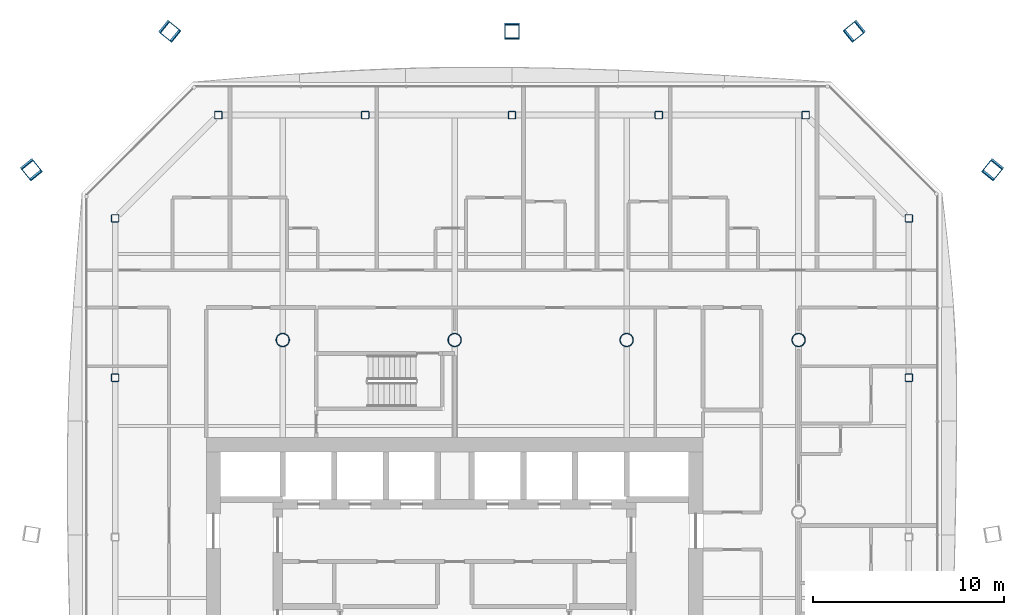
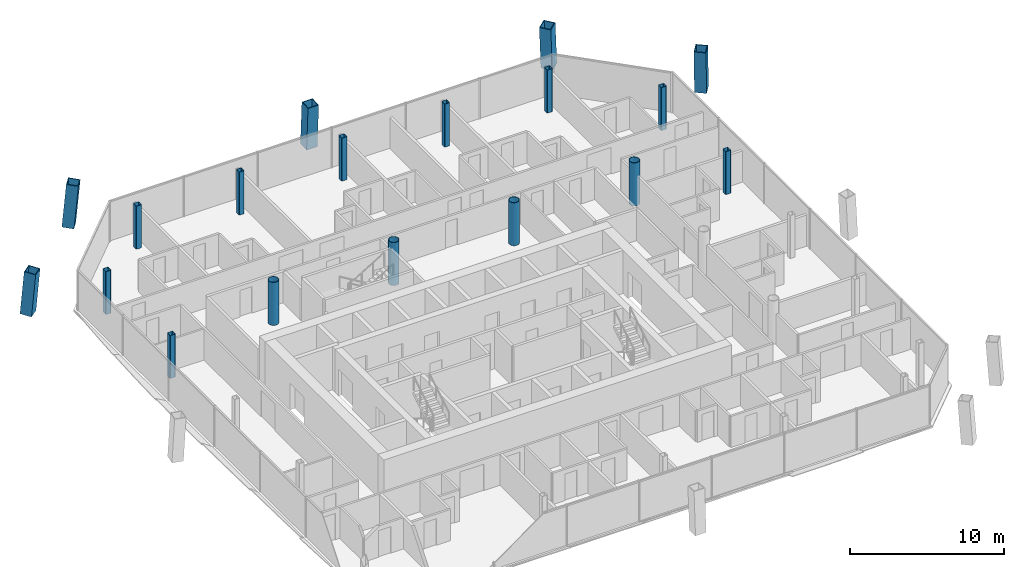
# One storey, part 2 of 18: 18 columns.
"""IFC4 building model written with IfcOpenShell, lengths in metres."""

from ifc_helpers import new_model, si_unit, direction, frame, origin, origin_2d, place, context, subcontext, project, spatial, hollow_rectangle, hollow_circle, extrude, material, material_profile, profile_set, type_object, element, save


model = new_model("IFC4")

# Units and contexts
model_context = context("Model", 3, precision=1e-05, world=origin(), true_north=direction((0.0, 1.0)))
body_context = subcontext(model_context, "Body", "Model", "MODEL_VIEW")
ifc_project = project(units=[si_unit("LENGTHUNIT", "METRE"), si_unit("AREAUNIT", "SQUARE_METRE"), si_unit("VOLUMEUNIT", "CUBIC_METRE"), si_unit("PLANEANGLEUNIT", "RADIAN"), si_unit("MASSUNIT", "GRAM", prefix="KILO")], contexts=[model_context])

# Site, building, storey
site_placement = place(None, origin())
site = spatial("IfcSite", under=ifc_project, at=site_placement, CompositionType="ELEMENT")
building_placement = place(site_placement, origin())
building = spatial("IfcBuilding", under=site, at=building_placement, Name="Tskaro Facet Tower", CompositionType="ELEMENT")
storey_placement = place(building_placement, frame((0.0, 0.0, 145.300048828125)))
storey = spatial("IfcBuildingStorey", under=building, at=storey_placement, Name="L35", CompositionType="ELEMENT", Elevation=145.300048828125)

# Columns
ifc_material_1 = material(Name="Steel S460M", Category="steel")
ifc_material_profile_1 = material_profile(ifc_material_1, hollow_rectangle(XDim=0.800048828125, YDim=0.800048828125, WallThickness=0.050048828125, at=origin_2d()), Name="BOX 800x800x50")
ifc_profile_set_1 = profile_set([ifc_material_profile_1], Name="Steel S460M")
column_type_1 = type_object("IfcColumnType", Name="BOX 800x800x50 mega column", PredefinedType="COLUMN", material=ifc_profile_set_1)
for number, where, z_axis, x_axis, name in (
    (1, (28.18896484375, 17.951904296875, 0.0), (-0.053587901845, -0.066466169311, 0.996348626292), (0.778492288273, -0.627654169985, 0.0), "BOX 800x800x50 MC06/3"),
    (2, (20.951904296875, 25.18896484375, 0.0), (-0.066466169311, -0.053587901845, 0.996348626292), (0.627654169985, -0.778492288273, 0.0), "BOX 800x800x50 MC07/3"),
):
    element("IfcColumn", number, at=place(storey_placement, frame(where, z_axis=z_axis, x_axis=x_axis)), inside=storey, type_object=column_type_1, Name=name, PredefinedType="COLUMN", context=body_context, shape_type="SweptSolid", body=[
        extrude(hollow_rectangle(XDim=0.800048828125, YDim=0.800048828125, WallThickness=0.050048828125, at=origin_2d()), origin(), (0.0, 0.0, 1.0), 3.412353515625),
    ])
column_placement = place(storey_placement, frame((3.0, 25.18896484375, 0.0), z_axis=(0.0, -0.053706664509, 0.998556755616), x_axis=(1.0, 0.0, 0.0)))
element("IfcColumn", 3, at=column_placement, inside=storey, type_object=column_type_1, Name="BOX 800x800x50 MC08/3", PredefinedType="COLUMN", context=body_context, shape_type="SweptSolid", body=[
    extrude(hollow_rectangle(XDim=0.800048828125, YDim=0.800048828125, WallThickness=0.050048828125, at=origin_2d()), origin(), (0.0, 0.0, 1.0), 3.40478515625),
])
for number, where, z_axis, x_axis, name in (
    (4, (-14.951904296875, 25.18896484375, 0.0), (0.066466169311, -0.053587901845, 0.996348626292), (0.627654169985, 0.778492288273, 0.0), "BOX 800x800x50 MC09/3"),
    (5, (-22.18896484375, 17.951904296875, 0.0), (0.053587901845, -0.066466169311, 0.996348626292), (0.778492288273, 0.627654169985, 0.0), "BOX 800x800x50 MC10/3"),
):
    element("IfcColumn", number, at=place(storey_placement, frame(where, z_axis=z_axis, x_axis=x_axis)), inside=storey, type_object=column_type_1, Name=name, PredefinedType="COLUMN", context=body_context, shape_type="SweptSolid", body=[
        extrude(hollow_rectangle(XDim=0.800048828125, YDim=0.800048828125, WallThickness=0.050048828125, at=origin_2d()), origin(), (0.0, 0.0, 1.0), 3.412353515625),
    ])
ifc_material_2 = material(Name="Steel S355J2H", Category="steel")
ifc_material_profile_2 = material_profile(ifc_material_2, hollow_circle(Radius=0.35546875, WallThickness=0.031982421875, at=origin_2d()), Name="CHS 711x32")
ifc_profile_set_2 = profile_set([ifc_material_profile_2], Name="Steel S355J2H")
column_type_2 = type_object("IfcColumnType", Name="CHS 711x32 interior column", PredefinedType="COLUMN", material=ifc_profile_set_2)
for number, where, z_axis, x_axis, name in (
    (6, (-9.0, 9.0, 0.0), (0.0, 0.0, 1.0), (1.0, 0.0, 0.0), "CHS 711x32 C3E/3"),
    (7, (0.0, 9.0, 0.0), (0.0, 0.0, 1.0), (1.0, 0.0, 0.0), "CHS 711x32 C4E/3"),
    (8, (9.0, 9.0, 0.0), (0.0, 0.0, 1.0), (1.0, 0.0, 0.0), "CHS 711x32 C5E/3"),
    (9, (18.0, 9.0, 0.0), (0.0, 0.0, 1.0), (1.0, 0.0, 0.0), "CHS 711x32 C6E/3"),
):
    element("IfcColumn", number, at=place(storey_placement, frame(where, z_axis=z_axis, x_axis=x_axis)), inside=storey, type_object=column_type_2, Name=name, PredefinedType="COLUMN", context=body_context, shape_type="SweptSolid", body=[
        extrude(hollow_circle(Radius=0.35546875, WallThickness=0.031982421875, at=origin_2d()), origin(), (0.0, 0.0, 1.0), 3.39990234375),
    ])
ifc_material_profile_3 = material_profile(ifc_material_2, hollow_rectangle(XDim=0.39990234375, YDim=0.39990234375, WallThickness=0.02001953125, InnerFilletRadius=0.030029296875, OuterFilletRadius=0.050048828125, at=origin_2d()), Name="SHS 400x400x20")
ifc_profile_set_3 = profile_set([ifc_material_profile_3], Name="Steel S355J2H")
column_type_3 = type_object("IfcColumnType", Name="SHS 400x400x20 ring column", PredefinedType="COLUMN", material=ifc_profile_set_3)
for number, where, z_axis, x_axis, name in (
    (10, (23.77392578125, 7.02587890625, 0.0), (0.0, 0.0, 1.0), (1.0, 0.0, 0.0), "SHS 400x400x20 RE-4/3"),
    (11, (23.77392578125, 15.367919921875, 0.0), (0.0, 0.0, 1.0), (1.0, 0.0, 0.0), "SHS 400x400x20 RNE-1/3"),
    (12, (18.367919921875, 20.77392578125, 0.0), (0.0, 0.0, 1.0), (1.0, 0.0, 0.0), "SHS 400x400x20 RN-1/3"),
    (13, (10.68408203125, 20.77392578125, 0.0), (0.0, 0.0, 1.0), (1.0, 0.0, 0.0), "SHS 400x400x20 RN-2/3"),
    (14, (3.0, 20.77392578125, 0.0), (0.0, 0.0, 1.0), (1.0, 0.0, 0.0), "SHS 400x400x20 RN-3/3"),
    (15, (-4.68408203125, 20.77392578125, 0.0), (0.0, 0.0, 1.0), (1.0, 0.0, 0.0), "SHS 400x400x20 RN-4/3"),
    (16, (-12.367919921875, 20.77392578125, 0.0), (0.0, 0.0, 1.0), (1.0, 0.0, 0.0), "SHS 400x400x20 RNW-1/3"),
    (17, (-17.77392578125, 15.367919921875, 0.0), (0.0, 0.0, 1.0), (1.0, 0.0, 0.0), "SHS 400x400x20 RW-1/3"),
    (18, (-17.77392578125, 7.02587890625, 0.0), (0.0, 0.0, 1.0), (1.0, 0.0, 0.0), "SHS 400x400x20 RW-2/3"),
):
    element("IfcColumn", number, at=place(storey_placement, frame(where, z_axis=z_axis, x_axis=x_axis)), inside=storey, type_object=column_type_3, Name=name, PredefinedType="COLUMN", context=body_context, shape_type="SweptSolid", body=[
        extrude(hollow_rectangle(XDim=0.39990234375, YDim=0.39990234375, WallThickness=0.02001953125, InnerFilletRadius=0.030029296875, OuterFilletRadius=0.050048828125, at=origin_2d()), origin(), (0.0, 0.0, 1.0), 3.39990234375),
    ])

save(model, "model.ifc")
